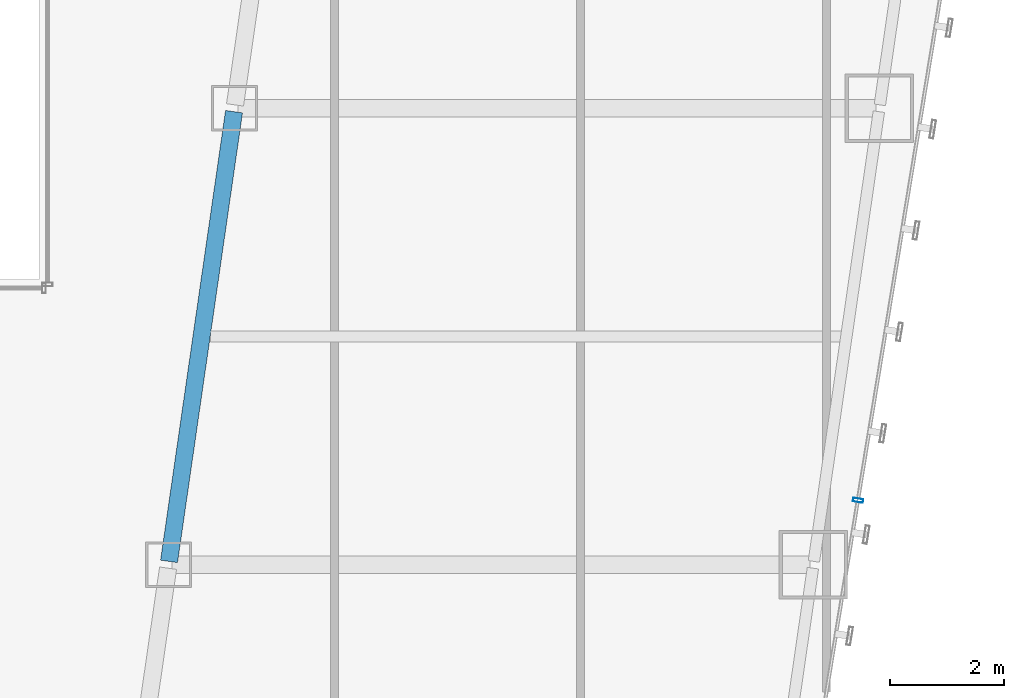
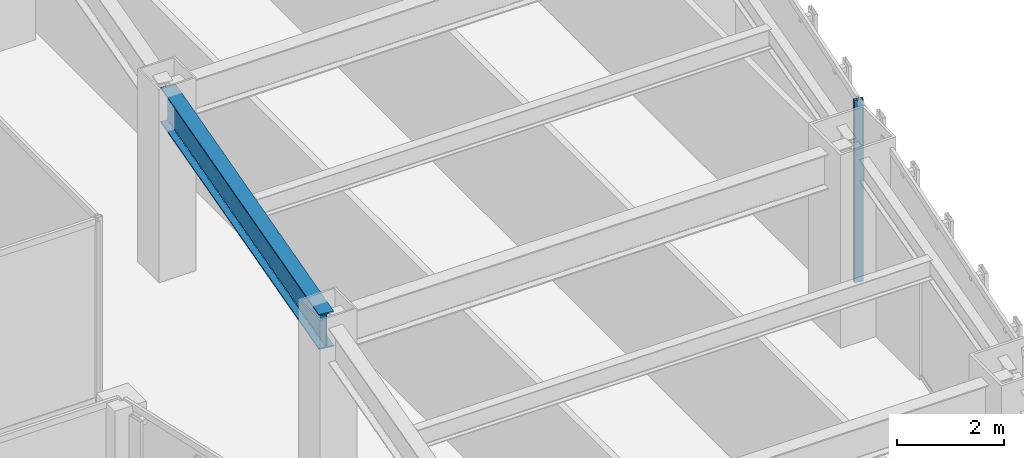
# One storey, part 17 of 47: 1 beam, 1 member, 1 element without a shape of its own.
"""IFC4 building model written with IfcOpenShell, lengths in metres."""

from ifc_helpers import new_model, si_unit, direction, frame, origin, origin_2d, place, context, subcontext, project, spatial, hollow_rectangle, i_section, extrude, material, material_profile, profile_set, type_object, element, aggregate, save


model = new_model("IFC4")

# Units and contexts
model_context = context("Model", 3, precision=1e-05, world=origin(), true_north=direction((0.0, 1.0)))
body_context = subcontext(model_context, "Body", "Model", "MODEL_VIEW")
ifc_project = project(units=[si_unit("LENGTHUNIT", "METRE"), si_unit("AREAUNIT", "SQUARE_METRE"), si_unit("VOLUMEUNIT", "CUBIC_METRE"), si_unit("PLANEANGLEUNIT", "RADIAN"), si_unit("MASSUNIT", "GRAM", prefix="KILO")], contexts=[model_context])

# Site, building, storey
site_placement = place(None, origin())
site = spatial("IfcSite", under=ifc_project, at=site_placement, CompositionType="ELEMENT")
building_placement = place(site_placement, origin())
building = spatial("IfcBuilding", under=site, at=building_placement, Name="Saevonmaru Cultural Tower", CompositionType="ELEMENT")
storey_placement = place(building_placement, frame((0.0, 0.0, 64.800048828125)))
storey = spatial("IfcBuildingStorey", under=building, at=storey_placement, Name="L13", CompositionType="ELEMENT", Elevation=64.800048828125)

# Beam
ifc_material_1 = material(Name="Steel SM420", Category="steel")
ifc_material_profile_1 = material_profile(ifc_material_1, i_section(OverallWidth=0.300048828125, OverallDepth=0.800048828125, WebThickness=0.013916015625, FlangeThickness=0.02587890625, FilletRadius=0.028076171875, at=origin_2d()), Name="H-800x300x14x26")
ifc_profile_set_1 = profile_set([ifc_material_profile_1], Name="Steel SM420")
beam_type = type_object("IfcBeamType", Name="BM-G-H800", PredefinedType="BEAM", material=ifc_profile_set_1)
beam_placement = place(storey_placement, frame((38.08056640625, 16.059326171875, 3.75), z_axis=(0.143022161059, 0.989719486241, 0.0), x_axis=(-0.989719486241, 0.143022161059, 0.0)))
element("IfcBeam", 1, at=beam_placement, inside=storey, type_object=beam_type, Name="L13 East Atrium Girder 3", PredefinedType="BEAM", context=body_context, shape_type="SweptSolid", body=[
    extrude(i_section(OverallWidth=0.300048828125, OverallDepth=0.800048828125, WebThickness=0.013916015625, FlangeThickness=0.02587890625, FilletRadius=0.028076171875, at=origin_2d()), origin(), (0.0, 0.0, 1.0), 7.963134765625),
])

# Curtain wall, member
ifc_material_2 = material(Name="Satin Bronze Anodised Aluminium", Category="aluminium")
curtain_wall_type = type_object("IfcCurtainWallType", Name="CW-TYP-A", PredefinedType="NOTDEFINED", material=ifc_material_2)
curtain_wall_placement = place(storey_placement, origin())
curtain_wall = element("IfcCurtainWall", 2, at=curtain_wall_placement, inside=storey, type_object=curtain_wall_type, Name="L13 Unitised Curtain Wall E8", PredefinedType="NOTDEFINED")
ifc_material_profile_2 = material_profile(ifc_material_2, hollow_rectangle(XDim=0.06494140625, YDim=0.179931640625, WallThickness=0.00390625, at=origin_2d()), Name="ALU-MULL-180x65x4")
ifc_profile_set_2 = profile_set([ifc_material_profile_2], Name="Satin Bronze Anodised Aluminium")
member_type = type_object("IfcMemberType", Name="ML-CW-180x65", PredefinedType="MULLION", material=ifc_profile_set_2)
member_placement = place(storey_placement, frame((50.15478515625, 17.129638671875, 0.0), z_axis=(0.0, 0.0, 1.0), x_axis=(0.161708868641, 0.986838508472, 0.0)))
member = element("IfcMember", 3, at=member_placement, type_object=member_type, Name="CW-TW-L13-E8 mullion 2", PredefinedType="MULLION", context=body_context, shape_type="SweptSolid", body=[
    extrude(hollow_rectangle(XDim=0.06494140625, YDim=0.179931640625, WallThickness=0.00390625, at=origin_2d()), origin(), (0.0, 0.0, 1.0), 4.14990234375),
])
aggregate(curtain_wall, [member])

save(model, "model.ifc")
